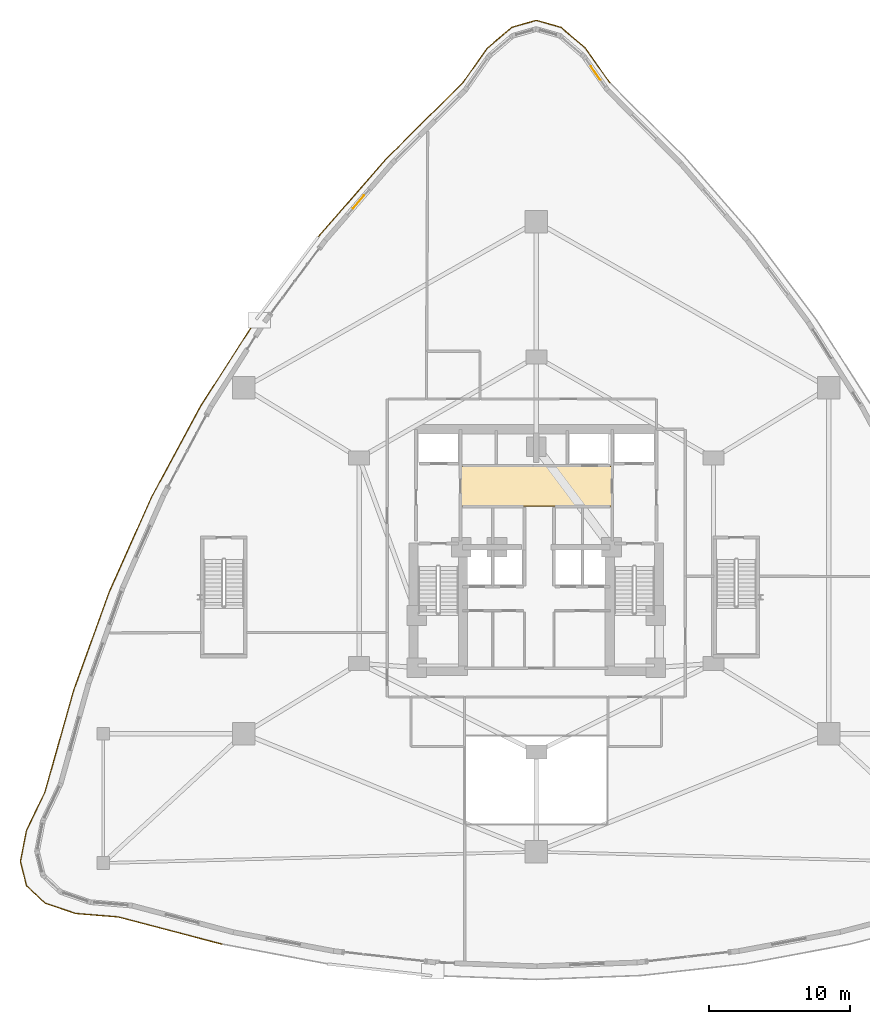
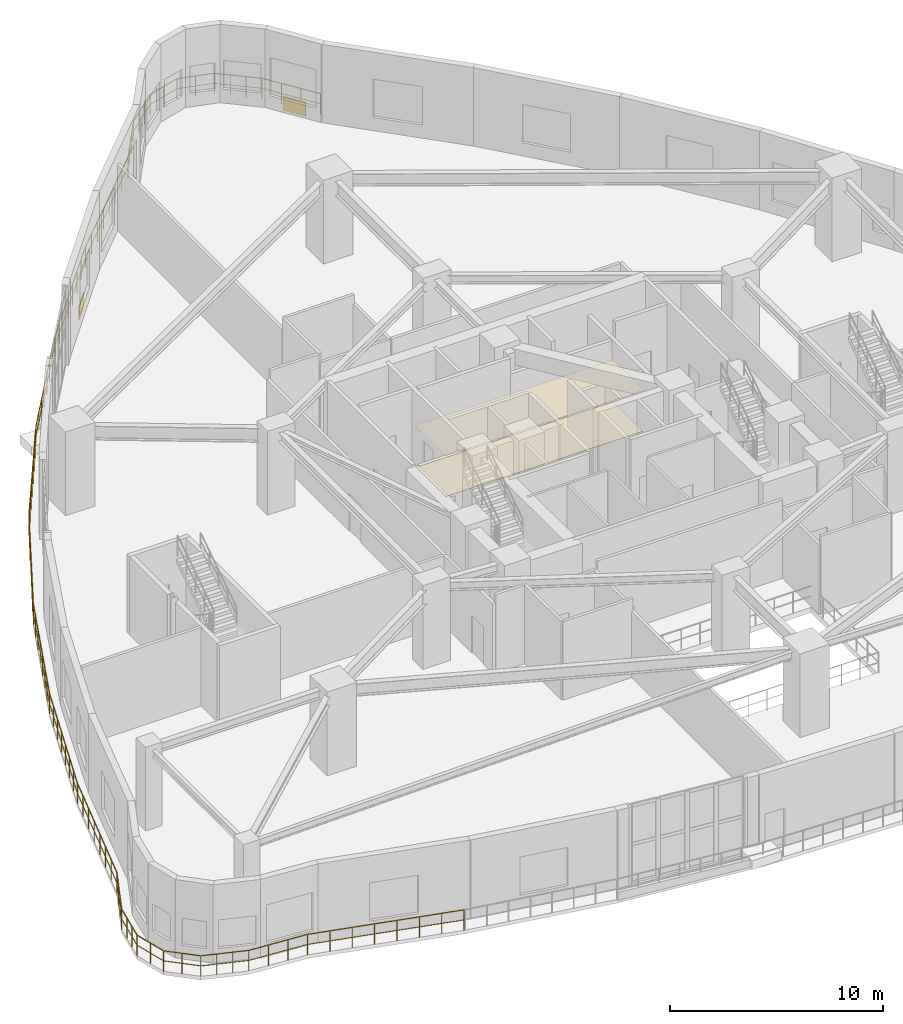
# One storey, part 24 of 25: 4 coverings, 1 railing.
"""IFC4 building model written with IfcOpenShell, lengths in metres."""

from ifc_helpers import new_model, si_unit, direction, frame, origin, origin_2d, place, context, subcontext, project, spatial, polyline, rectangle, circle, outline, extrude, material, layer, layer_set, type_object, element, save


model = new_model("IFC4")

# Units and contexts
model_context = context("Model", 3, precision=1e-05, world=origin(), true_north=direction((0.0, 1.0)))
body_context = subcontext(model_context, "Body", "Model", "MODEL_VIEW")
ifc_project = project(units=[si_unit("LENGTHUNIT", "METRE"), si_unit("AREAUNIT", "SQUARE_METRE"), si_unit("VOLUMEUNIT", "CUBIC_METRE"), si_unit("PLANEANGLEUNIT", "RADIAN"), si_unit("MASSUNIT", "GRAM", prefix="KILO")], contexts=[model_context])

# Site, building, storey
site_placement = place(None, origin())
site = spatial("IfcSite", under=ifc_project, at=site_placement, CompositionType="ELEMENT")
building_placement = place(site_placement, origin())
building = spatial("IfcBuilding", under=site, at=building_placement, Name="Miruveldt Soraemaru", CompositionType="ELEMENT")
storey_placement = place(building_placement, frame((0.0, 0.0, 4.800048828125)))
storey = spatial("IfcBuildingStorey", under=building, at=storey_placement, Name="L02", CompositionType="ELEMENT", Elevation=4.800048828125)

# Coverings
ifc_material_1 = material(Name="Gypsum plasterboard lining", Category="gypsum")
ifc_layer_1 = layer(ifc_material_1, 0.02001953125, Name="Gypsum plasterboard lining", Category="gypsum")
ifc_layer_set_1 = layer_set([ifc_layer_1], Name="Gypsum plasterboard lining")
covering_type_1 = type_object("IfcCoveringType", Name="COV-CEIL-AC", PredefinedType="CEILING", material=ifc_layer_set_1)
covering_1_placement = place(storey_placement, frame((0.0, 0.0, 2.3798828125)))
element("IfcCovering", 1, at=covering_1_placement, inside=storey, type_object=covering_type_1, Name="L02 Lift Lobby Acoustic Ceiling", PredefinedType="CEILING", context=body_context, shape_type="SweptSolid", body=[
    extrude(outline(polyline([(38.60009765625, 46.949951171875), (49.39990234375, 46.949951171875), (49.39990234375, 49.85009765625), (38.60009765625, 49.85009765625), (38.60009765625, 46.949951171875)])), origin(), (0.0, 0.0, 1.0), 0.02001953125),
])
ifc_material_2 = material(Name="Precast concrete C45/55 (45 MPa)", Category="concrete")
ifc_layer_2 = layer(ifc_material_2, 0.0400390625, Name="Precast concrete C45/55 (45 MPa)", Category="concrete")
ifc_layer_set_2 = layer_set([ifc_layer_2], Name="Precast concrete C45/55 (45 MPa)")
covering_type_2 = type_object("IfcCoveringType", Name="COV-CLAD-GRAN", PredefinedType="CLADDING", material=ifc_layer_set_2)
covering_2_placement = place(storey_placement, frame((48.21240234375, 77.786865234375, 0.0), z_axis=(0.0, 0.0, 1.0), x_axis=(-0.573376262627, 0.819292170996, 0.0)))
element("IfcCovering", 2, at=covering_2_placement, inside=storey, type_object=covering_type_2, Name="L02 Reconstituted Granite Base Cladding 1", PredefinedType="CLADDING", context=body_context, shape_type="SweptSolid", body=[
    extrude(rectangle(XDim=1.175048828125, YDim=0.0400390625, at=origin_2d()), origin(), (0.0, 0.0, 1.0), 0.800048828125),
])
covering_3_placement = place(storey_placement, frame((31.3525390625, 68.613037109375, 0.0), z_axis=(0.0, 0.0, 1.0), x_axis=(-0.654344960034, -0.75619618703, 0.0)))
element("IfcCovering", 3, at=covering_3_placement, inside=storey, type_object=covering_type_2, Name="L02 Reconstituted Granite Base Cladding 8", PredefinedType="CLADDING", context=body_context, shape_type="SweptSolid", body=[
    extrude(rectangle(XDim=1.199951171875, YDim=0.0400390625, at=origin_2d()), origin(), (0.0, 0.0, 1.0), 0.800048828125),
])
ifc_layer_3 = layer(ifc_material_2, 0.02490234375, Name="Precast concrete C45/55 (45 MPa)", Category="concrete")
ifc_layer_set_3 = layer_set([ifc_layer_3], Name="Precast concrete C45/55 (45 MPa)")
covering_type_3 = type_object("IfcCoveringType", Name="COV-FLOR-ST", PredefinedType="FLOORING", material=ifc_layer_set_3)
covering_4_placement = place(storey_placement, origin())
element("IfcCovering", 4, at=covering_4_placement, inside=storey, type_object=covering_type_3, Name="L02 Lift Lobby Stone Flooring", PredefinedType="FLOORING", context=body_context, shape_type="SweptSolid", body=[
    extrude(outline(polyline([(38.64990234375, 47.0), (49.35009765625, 47.0), (49.35009765625, 49.800048828125), (38.64990234375, 49.800048828125), (38.64990234375, 47.0)])), origin(), (0.0, 0.0, 1.0), 0.02490234375),
])

# Railing
ifc_material_3 = material(Name="Anodised aluminium EN AW-6063 T6", Category="aluminium")
railing_type = type_object("IfcRailingType", Name="RAIL-GUARD-1200", PredefinedType="GUARDRAIL", material=ifc_material_3)
railing_placement = place(storey_placement, frame((49.223876953125, 77.10498046875, 0.0)))
element("IfcRailing", 5, at=railing_placement, inside=storey, type_object=railing_type, Name="L02 Planted Terrace Perimeter Guardrail (A)", PredefinedType="GUARDRAIL", context=body_context, shape_type="SweptSolid", body=[
    extrude(circle(Radius=0.02392578125, at=origin_2d()), frame((0.0, 0.0, 1.17578125), z_axis=(-0.577242331193, 0.816572893916, 0.0), x_axis=(-0.816572893916, -0.577242331193, 0.0)), (0.0, 0.0, 1.0), 3.016357421875),
    extrude(circle(Radius=0.01611328125, at=origin_2d()), frame((0.0, 0.0, 0.60009765625), z_axis=(-0.577242331193, 0.816572893916, 0.0), x_axis=(-0.816572893916, -0.577242331193, 0.0)), (0.0, 0.0, 1.0), 3.016357421875),
    extrude(circle(Radius=0.02392578125, at=origin_2d()), frame((-1.7412109375, 2.463134765625, 1.17578125), z_axis=(-0.762469184512, 0.647024530191, 0.0), x_axis=(-0.647024530191, -0.762469184512, 0.0)), (0.0, 0.0, 1.0), 2.283935546875),
    extrude(circle(Radius=0.01611328125, at=origin_2d()), frame((-1.7412109375, 2.463134765625, 0.60009765625), z_axis=(-0.762469184512, 0.647024530191, 0.0), x_axis=(-0.647024530191, -0.762469184512, 0.0)), (0.0, 0.0, 1.0), 2.283935546875),
    extrude(circle(Radius=0.02392578125, at=origin_2d()), frame((-3.482666015625, 3.94091796875, 1.17578125), z_axis=(-0.962223386449, 0.272261188146, 0.0), x_axis=(-0.272261188146, -0.962223386449, 0.0)), (0.0, 0.0, 1.0), 1.8095703125),
    extrude(circle(Radius=0.01611328125, at=origin_2d()), frame((-3.482666015625, 3.94091796875, 0.60009765625), z_axis=(-0.962223386449, 0.272261188146, 0.0), x_axis=(-0.272261188146, -0.962223386449, 0.0)), (0.0, 0.0, 1.0), 1.8095703125),
    extrude(circle(Radius=0.02392578125, at=origin_2d()), frame((-5.223876953125, 4.43359375, 1.17578125), z_axis=(-0.962223386449, -0.272261188146, 0.0), x_axis=(0.272261188146, -0.962223386449, 0.0)), (0.0, 0.0, 1.0), 1.8095703125),
    extrude(circle(Radius=0.01611328125, at=origin_2d()), frame((-5.223876953125, 4.43359375, 0.60009765625), z_axis=(-0.962223386449, -0.272261188146, 0.0), x_axis=(0.272261188146, -0.962223386449, 0.0)), (0.0, 0.0, 1.0), 1.8095703125),
    extrude(circle(Radius=0.02392578125, at=origin_2d()), frame((-6.965087890625, 3.94091796875, 1.17578125), z_axis=(-0.762469184512, -0.647024530191, 0.0), x_axis=(0.647024530191, -0.762469184512, 0.0)), (0.0, 0.0, 1.0), 2.283935546875),
    extrude(circle(Radius=0.01611328125, at=origin_2d()), frame((-6.965087890625, 3.94091796875, 0.60009765625), z_axis=(-0.762469184512, -0.647024530191, 0.0), x_axis=(0.647024530191, -0.762469184512, 0.0)), (0.0, 0.0, 1.0), 2.283935546875),
    extrude(circle(Radius=0.02392578125, at=origin_2d()), frame((-8.70654296875, 2.463134765625, 1.17578125), z_axis=(-0.577242331193, -0.816572893916, 0.0), x_axis=(0.816572893916, -0.577242331193, 0.0)), (0.0, 0.0, 1.0), 3.016357421875),
    extrude(circle(Radius=0.01611328125, at=origin_2d()), frame((-8.70654296875, 2.463134765625, 0.60009765625), z_axis=(-0.577242331193, -0.816572893916, 0.0), x_axis=(0.816572893916, -0.577242331193, 0.0)), (0.0, 0.0, 1.0), 3.016357421875),
    extrude(circle(Radius=0.02392578125, at=origin_2d()), frame((-10.44775390625, 0.0, 1.17578125), z_axis=(-0.709714044801, -0.704489868353, 0.0), x_axis=(0.704489868353, -0.709714044801, 0.0)), (0.0, 0.0, 1.0), 7.57080078125),
    extrude(circle(Radius=0.01611328125, at=origin_2d()), frame((-10.44775390625, 0.0, 0.60009765625), z_axis=(-0.709714044801, -0.704489868353, 0.0), x_axis=(0.704489868353, -0.709714044801, 0.0)), (0.0, 0.0, 1.0), 7.57080078125),
    extrude(circle(Radius=0.02392578125, at=origin_2d()), frame((-15.82080078125, -5.33349609375, 1.17578125), z_axis=(-0.657696905506, -0.753282669711, 0.0), x_axis=(0.753282669711, -0.657696905506, 0.0)), (0.0, 0.0, 1.0), 7.450439453125),
    extrude(circle(Radius=0.01611328125, at=origin_2d()), frame((-15.82080078125, -5.33349609375, 0.60009765625), z_axis=(-0.657696905506, -0.753282669711, 0.0), x_axis=(0.753282669711, -0.657696905506, 0.0)), (0.0, 0.0, 1.0), 7.450439453125),
    extrude(circle(Radius=0.02392578125, at=origin_2d()), frame((-20.720947265625, -10.94580078125, 1.17578125), z_axis=(-0.600731281621, -0.799451016187, 0.0), x_axis=(0.799451016187, -0.600731281621, 0.0)), (0.0, 0.0, 1.0), 7.368896484375),
    extrude(circle(Radius=0.01611328125, at=origin_2d()), frame((-20.720947265625, -10.94580078125, 0.60009765625), z_axis=(-0.600731281621, -0.799451016187, 0.0), x_axis=(0.799451016187, -0.600731281621, 0.0)), (0.0, 0.0, 1.0), 7.368896484375),
    extrude(circle(Radius=0.02392578125, at=origin_2d()), frame((-25.147705078125, -16.8369140625, 1.17578125), z_axis=(-0.539500808327, -0.841985081705, 0.0), x_axis=(0.841985081705, -0.539500808327, 0.0)), (0.0, 0.0, 1.0), 7.327880859375),
    extrude(circle(Radius=0.01611328125, at=origin_2d()), frame((-25.147705078125, -16.8369140625, 0.60009765625), z_axis=(-0.539500808327, -0.841985081705, 0.0), x_axis=(0.841985081705, -0.539500808327, 0.0)), (0.0, 0.0, 1.0), 7.327880859375),
    extrude(circle(Radius=0.02392578125, at=origin_2d()), frame((-29.10107421875, -23.0068359375, 1.17578125), z_axis=(-0.47496782255, -0.880003163371, 0.0), x_axis=(0.880003163371, -0.47496782255, 0.0)), (0.0, 0.0, 1.0), 7.327880859375),
    extrude(circle(Radius=0.01611328125, at=origin_2d()), frame((-29.10107421875, -23.0068359375, 0.60009765625), z_axis=(-0.47496782255, -0.880003163371, 0.0), x_axis=(0.880003163371, -0.47496782255, 0.0)), (0.0, 0.0, 1.0), 7.327880859375),
    extrude(circle(Radius=0.02392578125, at=origin_2d()), frame((-32.58154296875, -29.455322265625, 1.17578125), z_axis=(-0.408098706283, -0.912937810549, 0.0), x_axis=(0.912937810549, -0.408098706283, 0.0)), (0.0, 0.0, 1.0), 7.369140625),
    extrude(circle(Radius=0.01611328125, at=origin_2d()), frame((-32.58154296875, -29.455322265625, 0.60009765625), z_axis=(-0.408098706283, -0.912937810549, 0.0), x_axis=(0.912937810549, -0.408098706283, 0.0)), (0.0, 0.0, 1.0), 7.369140625),
    extrude(circle(Radius=0.02392578125, at=origin_2d()), frame((-35.5888671875, -36.182861328125, 1.17578125), z_axis=(-0.340113885454, -0.940384253867, 0.0), x_axis=(0.940384253867, -0.340113885454, 0.0)), (0.0, 0.0, 1.0), 7.4501953125),
    extrude(circle(Radius=0.01611328125, at=origin_2d()), frame((-35.5888671875, -36.182861328125, 0.60009765625), z_axis=(-0.340113885454, -0.940384253867, 0.0), x_axis=(0.940384253867, -0.340113885454, 0.0)), (0.0, 0.0, 1.0), 7.4501953125),
    extrude(circle(Radius=0.02392578125, at=origin_2d()), frame((-38.122802734375, -43.18896484375, 1.17578125), z_axis=(-0.272203038709, -0.962239837939, 0.0), x_axis=(0.962239837939, -0.272203038709, 0.0)), (0.0, 0.0, 1.0), 7.57080078125),
    extrude(circle(Radius=0.01611328125, at=origin_2d()), frame((-38.122802734375, -43.18896484375, 0.60009765625), z_axis=(-0.272203038709, -0.962239837939, 0.0), x_axis=(0.962239837939, -0.272203038709, 0.0)), (0.0, 0.0, 1.0), 7.57080078125),
    extrude(circle(Radius=0.02392578125, at=origin_2d()), frame((-40.18359375, -50.473876953125, 1.17578125), z_axis=(-0.434179222173, -0.900826511063, 0.0), x_axis=(0.900826511063, -0.434179222173, 0.0)), (0.0, 0.0, 1.0), 3.0078125),
    extrude(circle(Radius=0.01611328125, at=origin_2d()), frame((-40.18359375, -50.473876953125, 0.60009765625), z_axis=(-0.434179222173, -0.900826511063, 0.0), x_axis=(0.900826511063, -0.434179222173, 0.0)), (0.0, 0.0, 1.0), 3.0078125),
    extrude(circle(Radius=0.02392578125, at=origin_2d()), frame((-41.489501953125, -53.183349609375, 1.17578125), z_axis=(-0.192685844525, -0.981260498196, 0.0), x_axis=(0.981260498196, -0.192685844525, 0.0)), (0.0, 0.0, 1.0), 2.259033203125),
    extrude(circle(Radius=0.01611328125, at=origin_2d()), frame((-41.489501953125, -53.183349609375, 0.60009765625), z_axis=(-0.192685844525, -0.981260498196, 0.0), x_axis=(0.981260498196, -0.192685844525, 0.0)), (0.0, 0.0, 1.0), 2.259033203125),
    extrude(circle(Radius=0.02392578125, at=origin_2d()), frame((-41.9248046875, -55.400146484375, 1.17578125), z_axis=(0.244796289149, -0.969574533916, 0.0), x_axis=(0.969574533916, 0.244796289149, 0.0)), (0.0, 0.0, 1.0), 1.7783203125),
    extrude(circle(Radius=0.01611328125, at=origin_2d()), frame((-41.9248046875, -55.400146484375, 0.60009765625), z_axis=(0.244796289149, -0.969574533916, 0.0), x_axis=(0.969574533916, 0.244796289149, 0.0)), (0.0, 0.0, 1.0), 1.7783203125),
    extrude(circle(Radius=0.02392578125, at=origin_2d()), frame((-41.489501953125, -57.124267578125, 1.17578125), z_axis=(0.727544791222, -0.686060184507, 0.0), x_axis=(0.686060184507, 0.727544791222, 0.0)), (0.0, 0.0, 1.0), 1.794921875),
    extrude(circle(Radius=0.01611328125, at=origin_2d()), frame((-41.489501953125, -57.124267578125, 0.60009765625), z_axis=(0.727544791222, -0.686060184507, 0.0), x_axis=(0.686060184507, 0.727544791222, 0.0)), (0.0, 0.0, 1.0), 1.794921875),
    extrude(circle(Radius=0.02392578125, at=origin_2d()), frame((-40.18359375, -58.355712890625, 1.17578125), z_axis=(0.946905385305, -0.32151235012, 0.0), x_axis=(0.32151235012, 0.946905385305, 0.0)), (0.0, 0.0, 1.0), 2.298583984375),
    extrude(circle(Radius=0.01611328125, at=origin_2d()), frame((-40.18359375, -58.355712890625, 0.60009765625), z_axis=(0.946905385305, -0.32151235012, 0.0), x_axis=(0.32151235012, 0.946905385305, 0.0)), (0.0, 0.0, 1.0), 2.298583984375),
    extrude(circle(Radius=0.02392578125, at=origin_2d()), frame((-38.007080078125, -59.0947265625, 1.17578125), z_axis=(0.996748663663, -0.080573578083, 0.0), x_axis=(0.080573578083, 0.996748663663, 0.0)), (0.0, 0.0, 1.0), 3.057373046875),
    extrude(circle(Radius=0.01611328125, at=origin_2d()), frame((-38.007080078125, -59.0947265625, 0.60009765625), z_axis=(0.996748663663, -0.080573578083, 0.0), x_axis=(0.080573578083, 0.996748663663, 0.0)), (0.0, 0.0, 1.0), 3.057373046875),
    extrude(circle(Radius=0.02392578125, at=origin_2d()), frame((-34.959716796875, -59.341064453125, 1.17578125), z_axis=(0.967238036295, -0.253871190064, 0.0), x_axis=(0.253871190064, 0.967238036295, 0.0)), (0.0, 0.0, 1.0), 7.630859375),
    extrude(circle(Radius=0.01611328125, at=origin_2d()), frame((-34.959716796875, -59.341064453125, 0.60009765625), z_axis=(0.967238036295, -0.253871190064, 0.0), x_axis=(0.253871190064, 0.967238036295, 0.0)), (0.0, 0.0, 1.0), 7.630859375),
    extrude(circle(Radius=0.02099609375, at=origin_2d()), origin(), (0.0, 0.0, 1.0), 1.15185546875),
    extrude(circle(Radius=0.02099609375, at=origin_2d()), frame((-0.580322265625, 0.821044921875, 0.0)), (0.0, 0.0, 1.0), 1.15185546875),
    extrude(circle(Radius=0.02099609375, at=origin_2d()), frame((-1.160888671875, 1.64208984375, 0.0)), (0.0, 0.0, 1.0), 1.15185546875),
    extrude(circle(Radius=0.02099609375, at=origin_2d()), frame((-1.7412109375, 2.463134765625, 0.0)), (0.0, 0.0, 1.0), 1.15185546875),
    extrude(circle(Radius=0.02099609375, at=origin_2d()), frame((-2.32177734375, 2.955810546875, 0.0)), (0.0, 0.0, 1.0), 1.15185546875),
    extrude(circle(Radius=0.02099609375, at=origin_2d()), frame((-2.902099609375, 3.4482421875, 0.0)), (0.0, 0.0, 1.0), 1.15185546875),
    extrude(circle(Radius=0.02099609375, at=origin_2d()), frame((-3.482666015625, 3.94091796875, 0.0)), (0.0, 0.0, 1.0), 1.15185546875),
    extrude(circle(Radius=0.02099609375, at=origin_2d()), frame((-4.353271484375, 4.187255859375, 0.0)), (0.0, 0.0, 1.0), 1.15185546875),
    extrude(circle(Radius=0.02099609375, at=origin_2d()), frame((-5.223876953125, 4.43359375, 0.0)), (0.0, 0.0, 1.0), 1.15185546875),
    extrude(circle(Radius=0.02099609375, at=origin_2d()), frame((-6.094482421875, 4.187255859375, 0.0)), (0.0, 0.0, 1.0), 1.15185546875),
    extrude(circle(Radius=0.02099609375, at=origin_2d()), frame((-6.965087890625, 3.94091796875, 0.0)), (0.0, 0.0, 1.0), 1.15185546875),
    extrude(circle(Radius=0.02099609375, at=origin_2d()), frame((-7.545654296875, 3.4482421875, 0.0)), (0.0, 0.0, 1.0), 1.15185546875),
    extrude(circle(Radius=0.02099609375, at=origin_2d()), frame((-8.1259765625, 2.955810546875, 0.0)), (0.0, 0.0, 1.0), 1.15185546875),
    extrude(circle(Radius=0.02099609375, at=origin_2d()), frame((-8.70654296875, 2.463134765625, 0.0)), (0.0, 0.0, 1.0), 1.15185546875),
    extrude(circle(Radius=0.02099609375, at=origin_2d()), frame((-9.286865234375, 1.64208984375, 0.0)), (0.0, 0.0, 1.0), 1.15185546875),
    extrude(circle(Radius=0.02099609375, at=origin_2d()), frame((-9.867431640625, 0.821044921875, 0.0)), (0.0, 0.0, 1.0), 1.15185546875),
    extrude(circle(Radius=0.02099609375, at=origin_2d()), frame((-10.44775390625, 0.0, 0.0)), (0.0, 0.0, 1.0), 1.15185546875),
    extrude(circle(Radius=0.02099609375, at=origin_2d()), frame((-11.21533203125, -0.761962890625, 0.0)), (0.0, 0.0, 1.0), 1.15185546875),
    extrude(circle(Radius=0.02099609375, at=origin_2d()), frame((-11.98291015625, -1.52392578125, 0.0)), (0.0, 0.0, 1.0), 1.15185546875),
    extrude(circle(Radius=0.02099609375, at=origin_2d()), frame((-12.75048828125, -2.285888671875, 0.0)), (0.0, 0.0, 1.0), 1.15185546875),
    extrude(circle(Radius=0.02099609375, at=origin_2d()), frame((-13.51806640625, -3.047607421875, 0.0)), (0.0, 0.0, 1.0), 1.15185546875),
    extrude(circle(Radius=0.02099609375, at=origin_2d()), frame((-14.28564453125, -3.8095703125, 0.0)), (0.0, 0.0, 1.0), 1.15185546875),
    extrude(circle(Radius=0.02099609375, at=origin_2d()), frame((-15.05322265625, -4.571533203125, 0.0)), (0.0, 0.0, 1.0), 1.15185546875),
    extrude(circle(Radius=0.02099609375, at=origin_2d()), frame((-15.82080078125, -5.33349609375, 0.0)), (0.0, 0.0, 1.0), 1.15185546875),
    extrude(circle(Radius=0.02099609375, at=origin_2d()), frame((-16.520751953125, -6.13525390625, 0.0)), (0.0, 0.0, 1.0), 1.15185546875),
    extrude(circle(Radius=0.02099609375, at=origin_2d()), frame((-17.220947265625, -6.93701171875, 0.0)), (0.0, 0.0, 1.0), 1.15185546875),
    extrude(circle(Radius=0.02099609375, at=origin_2d()), frame((-17.9208984375, -7.73876953125, 0.0)), (0.0, 0.0, 1.0), 1.15185546875),
    extrude(circle(Radius=0.02099609375, at=origin_2d()), frame((-18.620849609375, -8.54052734375, 0.0)), (0.0, 0.0, 1.0), 1.15185546875),
    extrude(circle(Radius=0.02099609375, at=origin_2d()), frame((-19.32080078125, -9.34228515625, 0.0)), (0.0, 0.0, 1.0), 1.15185546875),
    extrude(circle(Radius=0.02099609375, at=origin_2d()), frame((-20.02099609375, -10.14404296875, 0.0)), (0.0, 0.0, 1.0), 1.15185546875),
    extrude(circle(Radius=0.02099609375, at=origin_2d()), frame((-20.720947265625, -10.94580078125, 0.0)), (0.0, 0.0, 1.0), 1.15185546875),
    extrude(circle(Radius=0.02099609375, at=origin_2d()), frame((-21.353271484375, -11.787353515625, 0.0)), (0.0, 0.0, 1.0), 1.15185546875),
    extrude(circle(Radius=0.02099609375, at=origin_2d()), frame((-21.98583984375, -12.62890625, 0.0)), (0.0, 0.0, 1.0), 1.15185546875),
    extrude(circle(Radius=0.02099609375, at=origin_2d()), frame((-22.6181640625, -13.470458984375, 0.0)), (0.0, 0.0, 1.0), 1.15185546875),
    extrude(circle(Radius=0.02099609375, at=origin_2d()), frame((-23.25048828125, -14.312255859375, 0.0)), (0.0, 0.0, 1.0), 1.15185546875),
    extrude(circle(Radius=0.02099609375, at=origin_2d()), frame((-23.8828125, -15.15380859375, 0.0)), (0.0, 0.0, 1.0), 1.15185546875),
    extrude(circle(Radius=0.02099609375, at=origin_2d()), frame((-24.515380859375, -15.995361328125, 0.0)), (0.0, 0.0, 1.0), 1.15185546875),
    extrude(circle(Radius=0.02099609375, at=origin_2d()), frame((-25.147705078125, -16.8369140625, 0.0)), (0.0, 0.0, 1.0), 1.15185546875),
    extrude(circle(Radius=0.02099609375, at=origin_2d()), frame((-25.71240234375, -17.71826171875, 0.0)), (0.0, 0.0, 1.0), 1.15185546875),
    extrude(circle(Radius=0.02099609375, at=origin_2d()), frame((-26.27734375, -18.599853515625, 0.0)), (0.0, 0.0, 1.0), 1.15185546875),
    extrude(circle(Radius=0.02099609375, at=origin_2d()), frame((-26.842041015625, -19.481201171875, 0.0)), (0.0, 0.0, 1.0), 1.15185546875),
    extrude(circle(Radius=0.02099609375, at=origin_2d()), frame((-27.40673828125, -20.362548828125, 0.0)), (0.0, 0.0, 1.0), 1.15185546875),
    extrude(circle(Radius=0.02099609375, at=origin_2d()), frame((-27.971435546875, -21.243896484375, 0.0)), (0.0, 0.0, 1.0), 1.15185546875),
    extrude(circle(Radius=0.02099609375, at=origin_2d()), frame((-28.536376953125, -22.12548828125, 0.0)), (0.0, 0.0, 1.0), 1.15185546875),
    extrude(circle(Radius=0.02099609375, at=origin_2d()), frame((-29.10107421875, -23.0068359375, 0.0)), (0.0, 0.0, 1.0), 1.15185546875),
    extrude(circle(Radius=0.02099609375, at=origin_2d()), frame((-29.598388671875, -23.927978515625, 0.0)), (0.0, 0.0, 1.0), 1.15185546875),
    extrude(circle(Radius=0.02099609375, at=origin_2d()), frame((-30.095458984375, -24.849365234375, 0.0)), (0.0, 0.0, 1.0), 1.15185546875),
    extrude(circle(Radius=0.02099609375, at=origin_2d()), frame((-30.5927734375, -25.7705078125, 0.0)), (0.0, 0.0, 1.0), 1.15185546875),
    extrude(circle(Radius=0.02099609375, at=origin_2d()), frame((-31.08984375, -26.691650390625, 0.0)), (0.0, 0.0, 1.0), 1.15185546875),
    extrude(circle(Radius=0.02099609375, at=origin_2d()), frame((-31.587158203125, -27.61279296875, 0.0)), (0.0, 0.0, 1.0), 1.15185546875),
    extrude(circle(Radius=0.02099609375, at=origin_2d()), frame((-32.084228515625, -28.5341796875, 0.0)), (0.0, 0.0, 1.0), 1.15185546875),
    extrude(circle(Radius=0.02099609375, at=origin_2d()), frame((-32.58154296875, -29.455322265625, 0.0)), (0.0, 0.0, 1.0), 1.15185546875),
    extrude(circle(Radius=0.02099609375, at=origin_2d()), frame((-33.01123046875, -30.41650390625, 0.0)), (0.0, 0.0, 1.0), 1.15185546875),
    extrude(circle(Radius=0.02099609375, at=origin_2d()), frame((-33.440673828125, -31.37744140625, 0.0)), (0.0, 0.0, 1.0), 1.15185546875),
    extrude(circle(Radius=0.02099609375, at=origin_2d()), frame((-33.870361328125, -32.338623046875, 0.0)), (0.0, 0.0, 1.0), 1.15185546875),
    extrude(circle(Radius=0.02099609375, at=origin_2d()), frame((-34.300048828125, -33.299560546875, 0.0)), (0.0, 0.0, 1.0), 1.15185546875),
    extrude(circle(Radius=0.02099609375, at=origin_2d()), frame((-34.729736328125, -34.2607421875, 0.0)), (0.0, 0.0, 1.0), 1.15185546875),
    extrude(circle(Radius=0.02099609375, at=origin_2d()), frame((-35.1591796875, -35.2216796875, 0.0)), (0.0, 0.0, 1.0), 1.15185546875),
    extrude(circle(Radius=0.02099609375, at=origin_2d()), frame((-35.5888671875, -36.182861328125, 0.0)), (0.0, 0.0, 1.0), 1.15185546875),
    extrude(circle(Radius=0.02099609375, at=origin_2d()), frame((-35.950927734375, -37.183837890625, 0.0)), (0.0, 0.0, 1.0), 1.15185546875),
    extrude(circle(Radius=0.02099609375, at=origin_2d()), frame((-36.312744140625, -38.1845703125, 0.0)), (0.0, 0.0, 1.0), 1.15185546875),
    extrude(circle(Radius=0.02099609375, at=origin_2d()), frame((-36.6748046875, -39.185546875, 0.0)), (0.0, 0.0, 1.0), 1.15185546875),
    extrude(circle(Radius=0.02099609375, at=origin_2d()), frame((-37.036865234375, -40.186279296875, 0.0)), (0.0, 0.0, 1.0), 1.15185546875),
    extrude(circle(Radius=0.02099609375, at=origin_2d()), frame((-37.39892578125, -41.187255859375, 0.0)), (0.0, 0.0, 1.0), 1.15185546875),
    extrude(circle(Radius=0.02099609375, at=origin_2d()), frame((-37.7607421875, -42.18798828125, 0.0)), (0.0, 0.0, 1.0), 1.15185546875),
    extrude(circle(Radius=0.02099609375, at=origin_2d()), frame((-38.122802734375, -43.18896484375, 0.0)), (0.0, 0.0, 1.0), 1.15185546875),
    extrude(circle(Radius=0.02099609375, at=origin_2d()), frame((-38.417236328125, -44.229736328125, 0.0)), (0.0, 0.0, 1.0), 1.15185546875),
    extrude(circle(Radius=0.02099609375, at=origin_2d()), frame((-38.711669921875, -45.270263671875, 0.0)), (0.0, 0.0, 1.0), 1.15185546875),
    extrude(circle(Radius=0.02099609375, at=origin_2d()), frame((-39.006103515625, -46.31103515625, 0.0)), (0.0, 0.0, 1.0), 1.15185546875),
    extrude(circle(Radius=0.02099609375, at=origin_2d()), frame((-39.30029296875, -47.351806640625, 0.0)), (0.0, 0.0, 1.0), 1.15185546875),
    extrude(circle(Radius=0.02099609375, at=origin_2d()), frame((-39.5947265625, -48.392578125, 0.0)), (0.0, 0.0, 1.0), 1.15185546875),
    extrude(circle(Radius=0.02099609375, at=origin_2d()), frame((-39.88916015625, -49.43310546875, 0.0)), (0.0, 0.0, 1.0), 1.15185546875),
    extrude(circle(Radius=0.02099609375, at=origin_2d()), frame((-40.18359375, -50.473876953125, 0.0)), (0.0, 0.0, 1.0), 1.15185546875),
    extrude(circle(Radius=0.02099609375, at=origin_2d()), frame((-40.618896484375, -51.376953125, 0.0)), (0.0, 0.0, 1.0), 1.15185546875),
    extrude(circle(Radius=0.02099609375, at=origin_2d()), frame((-41.05419921875, -52.2802734375, 0.0)), (0.0, 0.0, 1.0), 1.15185546875),
    extrude(circle(Radius=0.02099609375, at=origin_2d()), frame((-41.489501953125, -53.183349609375, 0.0)), (0.0, 0.0, 1.0), 1.15185546875),
    extrude(circle(Radius=0.02099609375, at=origin_2d()), frame((-41.634521484375, -53.92236328125, 0.0)), (0.0, 0.0, 1.0), 1.15185546875),
    extrude(circle(Radius=0.02099609375, at=origin_2d()), frame((-41.77978515625, -54.6611328125, 0.0)), (0.0, 0.0, 1.0), 1.15185546875),
    extrude(circle(Radius=0.02099609375, at=origin_2d()), frame((-41.9248046875, -55.400146484375, 0.0)), (0.0, 0.0, 1.0), 1.15185546875),
    extrude(circle(Radius=0.02099609375, at=origin_2d()), frame((-41.70703125, -56.26220703125, 0.0)), (0.0, 0.0, 1.0), 1.15185546875),
    extrude(circle(Radius=0.02099609375, at=origin_2d()), frame((-41.489501953125, -57.124267578125, 0.0)), (0.0, 0.0, 1.0), 1.15185546875),
    extrude(circle(Radius=0.02099609375, at=origin_2d()), frame((-40.83642578125, -57.739990234375, 0.0)), (0.0, 0.0, 1.0), 1.15185546875),
    extrude(circle(Radius=0.02099609375, at=origin_2d()), frame((-40.18359375, -58.355712890625, 0.0)), (0.0, 0.0, 1.0), 1.15185546875),
    extrude(circle(Radius=0.02099609375, at=origin_2d()), frame((-39.4580078125, -58.60205078125, 0.0)), (0.0, 0.0, 1.0), 1.15185546875),
    extrude(circle(Radius=0.02099609375, at=origin_2d()), frame((-38.732666015625, -58.848388671875, 0.0)), (0.0, 0.0, 1.0), 1.15185546875),
    extrude(circle(Radius=0.02099609375, at=origin_2d()), frame((-38.007080078125, -59.0947265625, 0.0)), (0.0, 0.0, 1.0), 1.15185546875),
    extrude(circle(Radius=0.02099609375, at=origin_2d()), frame((-36.9912109375, -59.1767578125, 0.0)), (0.0, 0.0, 1.0), 1.15185546875),
    extrude(circle(Radius=0.02099609375, at=origin_2d()), frame((-35.9755859375, -59.259033203125, 0.0)), (0.0, 0.0, 1.0), 1.15185546875),
    extrude(circle(Radius=0.02099609375, at=origin_2d()), frame((-34.959716796875, -59.341064453125, 0.0)), (0.0, 0.0, 1.0), 1.15185546875),
    extrude(circle(Radius=0.02099609375, at=origin_2d()), frame((-33.9052734375, -59.617919921875, 0.0)), (0.0, 0.0, 1.0), 1.15185546875),
    extrude(circle(Radius=0.02099609375, at=origin_2d()), frame((-32.850830078125, -59.89453125, 0.0)), (0.0, 0.0, 1.0), 1.15185546875),
    extrude(circle(Radius=0.02099609375, at=origin_2d()), frame((-31.79638671875, -60.17138671875, 0.0)), (0.0, 0.0, 1.0), 1.15185546875),
    extrude(circle(Radius=0.02099609375, at=origin_2d()), frame((-30.7421875, -60.447998046875, 0.0)), (0.0, 0.0, 1.0), 1.15185546875),
    extrude(circle(Radius=0.02099609375, at=origin_2d()), frame((-29.687744140625, -60.724853515625, 0.0)), (0.0, 0.0, 1.0), 1.15185546875),
    extrude(circle(Radius=0.02099609375, at=origin_2d()), frame((-28.63330078125, -61.00146484375, 0.0)), (0.0, 0.0, 1.0), 1.15185546875),
    extrude(circle(Radius=0.02099609375, at=origin_2d()), frame((-27.578857421875, -61.2783203125, 0.0)), (0.0, 0.0, 1.0), 1.15185546875),
])

save(model, "model.ifc")
